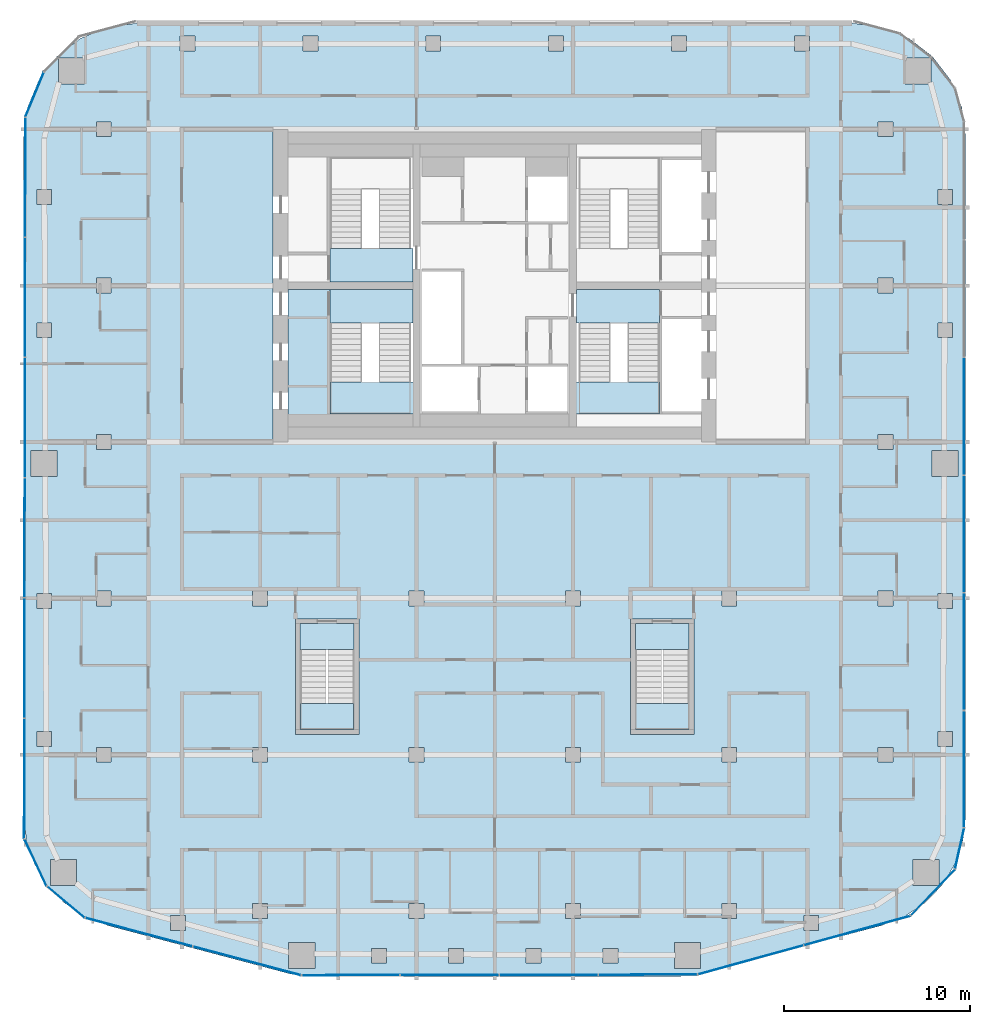
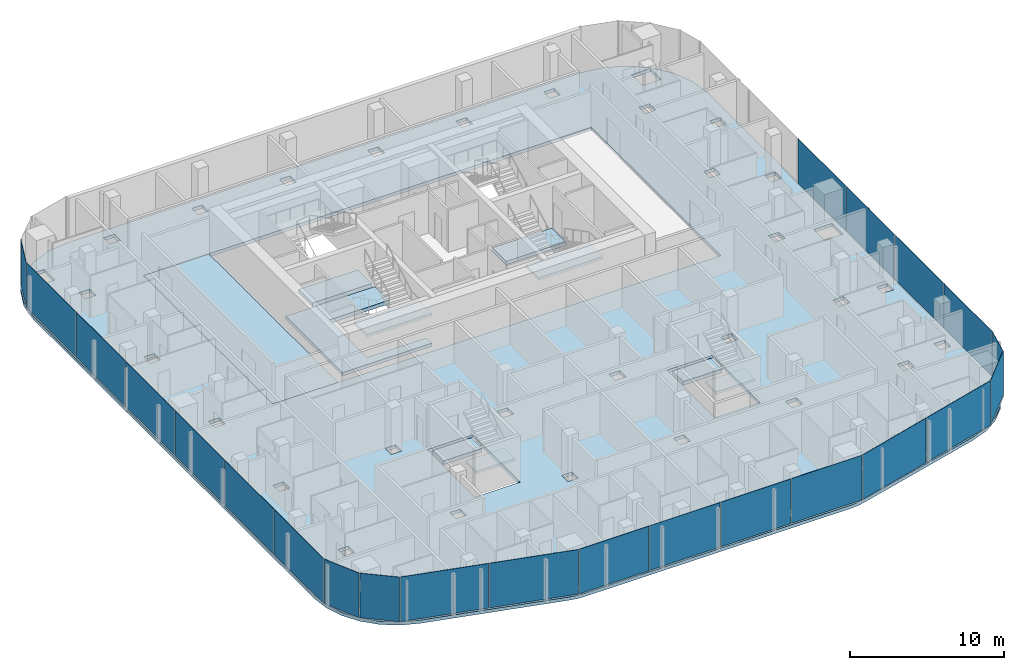
# One storey, part 12 of 22: 23 plates, 12 slabs, 14 elements without a shape of their own.
"""IFC4 building model written with IfcOpenShell, lengths in metres."""

from ifc_helpers import new_model, si_unit, direction, frame, origin, origin_2d, place, context, subcontext, project, spatial, polyline, rectangle, outline, extrude, material, layer, layer_set, type_object, element, aggregate, save


model = new_model("IFC4")

# Units and contexts
model_context = context("Model", 3, precision=1e-05, world=origin(), true_north=direction((0.0, 1.0)))
body_context = subcontext(model_context, "Body", "Model", "MODEL_VIEW")
ifc_project = project(units=[si_unit("LENGTHUNIT", "METRE"), si_unit("AREAUNIT", "SQUARE_METRE"), si_unit("VOLUMEUNIT", "CUBIC_METRE"), si_unit("PLANEANGLEUNIT", "RADIAN"), si_unit("MASSUNIT", "GRAM", prefix="KILO")], contexts=[model_context])

# Site, building, storey
site_placement = place(None, origin())
site = spatial("IfcSite", under=ifc_project, at=site_placement, CompositionType="ELEMENT")
building_placement = place(site_placement, origin())
building = spatial("IfcBuilding", under=site, at=building_placement, Name="Marenta Gate Hotel Tower", CompositionType="ELEMENT")
storey_placement = place(building_placement, frame((0.0, 0.0, 209.300048828125)))
storey = spatial("IfcBuildingStorey", under=building, at=storey_placement, Name="L48", CompositionType="ELEMENT", Elevation=209.300048828125)

# Slabs
ifc_material_1 = material(Name="Concrete C35", Category="concrete")
ifc_layer_1 = layer(ifc_material_1, 0.260009765625)
ifc_layer_set_1 = layer_set([ifc_layer_1], Name="Concrete C35")
slab_type_1 = type_object("IfcSlabType", Name="Concrete floor slab 260", PredefinedType="FLOOR", material=ifc_layer_set_1)
slab_1_placement = place(storey_placement, frame((0.0, 0.0, -0.260009765625)))
element("IfcSlab", 1, at=slab_1_placement, inside=storey, type_object=slab_type_1, Name="L48-SL-1", PredefinedType="FLOOR", context=body_context, shape_type="SweptSolid", body=[
    extrude(outline(polyline([(-23.11376953125, -24.76416015625), (-24.035400390625, -23.803955078125), (-24.72705078125, -22.6669921875), (-25.155517578125, -21.4072265625), (-25.300048828125, -20.08984375), (-25.300048828125, 16.406494140625), (-25.093017578125, 17.97900390625), (-24.483642578125, 19.450439453125), (-23.513916015625, 20.7138671875), (-22.25048828125, 21.68359375), (-20.779052734375, 22.29296875), (-19.20654296875, 22.5), (19.20654296875, 22.5), (20.779052734375, 22.29296875), (22.25048828125, 21.68359375), (23.513916015625, 20.7138671875), (24.483642578125, 19.450439453125), (25.093017578125, 17.97900390625), (25.300048828125, 16.406494140625), (25.300048828125, -20.08984375), (25.155517578125, -21.4072265625), (24.72705078125, -22.6669921875), (24.035400390625, -23.803955078125), (23.11376953125, -24.76416015625), (22.005859375, -25.501220703125), (20.76953125, -25.978759765625), (11.026611328125, -28.563720703125), (10.508544921875, -28.665771484375), (9.981689453125, -28.699951171875), (-9.981689453125, -28.699951171875), (-10.508544921875, -28.665771484375), (-11.026611328125, -28.563720703125), (-20.76953125, -25.978759765625), (-22.005859375, -25.501220703125), (-23.11376953125, -24.76416015625)]), holes=[polyline([(-16.800048828125, 0.0), (16.800048828125, 0.0), (16.800048828125, 16.800048828125), (-16.800048828125, 16.800048828125), (-16.800048828125, 0.0)]), polyline([(-16.606689453125, -25.439208984375), (-17.40673828125, -25.439208984375), (-17.40673828125, -26.239013671875), (-16.606689453125, -26.239013671875), (-16.606689453125, -25.439208984375)]), polyline([(-12.199951171875, -25.60009765625), (-12.199951171875, -24.800048828125), (-13.0, -24.800048828125), (-13.0, -25.60009765625), (-12.199951171875, -25.60009765625)]), polyline([(-22.462890625, -23.8330078125), (-22.462890625, -22.43310546875), (-23.863037109375, -22.43310546875), (-23.863037109375, -23.8330078125), (-22.462890625, -23.8330078125)]), polyline([(-12.199951171875, -16.39990234375), (-13.0, -16.39990234375), (-13.0, -17.199951171875), (-12.199951171875, -17.199951171875), (-12.199951171875, -16.39990234375)]), polyline([(-20.60009765625, -17.199951171875), (-20.60009765625, -16.39990234375), (-21.39990234375, -16.39990234375), (-21.39990234375, -17.199951171875), (-20.60009765625, -17.199951171875)]), polyline([(-23.800048828125, -16.351806640625), (-23.800048828125, -15.552001953125), (-24.60009765625, -15.552001953125), (-24.60009765625, -16.351806640625), (-23.800048828125, -16.351806640625)]), polyline([(-23.800048828125, -8.15087890625), (-24.60009765625, -8.15087890625), (-24.60009765625, -8.950927734375), (-23.800048828125, -8.950927734375), (-23.800048828125, -8.15087890625)]), polyline([(-12.199951171875, -8.800048828125), (-12.199951171875, -8.0), (-13.0, -8.0), (-13.0, -8.800048828125), (-12.199951171875, -8.800048828125)]), polyline([(-20.60009765625, -8.800048828125), (-20.60009765625, -8.0), (-21.39990234375, -8.0), (-21.39990234375, -8.800048828125), (-20.60009765625, -8.800048828125)]), polyline([(-23.5, -0.449951171875), (-24.89990234375, -0.449951171875), (-24.89990234375, -1.85009765625), (-23.5, -1.85009765625), (-23.5, -0.449951171875)]), polyline([(-20.60009765625, -0.39990234375), (-20.60009765625, 0.39990234375), (-21.39990234375, 0.39990234375), (-21.39990234375, -0.39990234375), (-20.60009765625, -0.39990234375)]), polyline([(-23.800048828125, 5.603271484375), (-23.800048828125, 6.4033203125), (-24.60009765625, 6.4033203125), (-24.60009765625, 5.603271484375), (-23.800048828125, 5.603271484375)]), polyline([(-20.60009765625, 8.800048828125), (-21.39990234375, 8.800048828125), (-21.39990234375, 8.0), (-20.60009765625, 8.0), (-20.60009765625, 8.800048828125)]), polyline([(-23.800048828125, 12.75634765625), (-23.800048828125, 13.556396484375), (-24.60009765625, 13.556396484375), (-24.60009765625, 12.75634765625), (-23.800048828125, 12.75634765625)]), polyline([(-20.60009765625, 16.39990234375), (-20.60009765625, 17.199951171875), (-21.39990234375, 17.199951171875), (-21.39990234375, 16.39990234375), (-20.60009765625, 16.39990234375)]), polyline([(-22.035400390625, 20.635498046875), (-23.435546875, 20.635498046875), (-23.435546875, 19.235595703125), (-22.035400390625, 19.235595703125), (-22.035400390625, 20.635498046875)]), polyline([(-16.10693359375, 21.0), (-16.10693359375, 21.800048828125), (-16.906982421875, 21.800048828125), (-16.906982421875, 21.0), (-16.10693359375, 21.0)]), polyline([(-5.820068359375, -28.0), (-5.820068359375, -27.199951171875), (-6.6201171875, -27.199951171875), (-6.6201171875, -28.0), (-5.820068359375, -28.0)]), polyline([(6.6201171875, -27.199951171875), (5.820068359375, -27.199951171875), (5.820068359375, -28.0), (6.6201171875, -28.0), (6.6201171875, -27.199951171875)]), polyline([(2.473388671875, -28.0), (2.473388671875, -27.199951171875), (1.67333984375, -27.199951171875), (1.67333984375, -28.0), (2.473388671875, -28.0)]), polyline([(-1.67333984375, -28.0), (-1.67333984375, -27.199951171875), (-2.473388671875, -27.199951171875), (-2.473388671875, -28.0), (-1.67333984375, -28.0)]), polyline([(-9.666259765625, -28.27490234375), (-9.666259765625, -26.874755859375), (-11.06640625, -26.874755859375), (-11.06640625, -28.27490234375), (-9.666259765625, -28.27490234375)]), polyline([(11.06640625, -28.27490234375), (11.06640625, -26.874755859375), (9.666259765625, -26.874755859375), (9.666259765625, -28.27490234375), (11.06640625, -28.27490234375)]), polyline([(13.0, -25.60009765625), (13.0, -24.800048828125), (12.199951171875, -24.800048828125), (12.199951171875, -25.60009765625), (13.0, -25.60009765625)]), polyline([(4.60009765625, -25.60009765625), (4.60009765625, -24.800048828125), (3.800048828125, -24.800048828125), (3.800048828125, -25.60009765625), (4.60009765625, -25.60009765625)]), polyline([(-3.800048828125, -24.800048828125), (-4.60009765625, -24.800048828125), (-4.60009765625, -25.60009765625), (-3.800048828125, -25.60009765625), (-3.800048828125, -24.800048828125)]), polyline([(4.60009765625, -17.199951171875), (4.60009765625, -16.39990234375), (3.800048828125, -16.39990234375), (3.800048828125, -17.199951171875), (4.60009765625, -17.199951171875)]), polyline([(-3.800048828125, -17.199951171875), (-3.800048828125, -16.39990234375), (-4.60009765625, -16.39990234375), (-4.60009765625, -17.199951171875), (-3.800048828125, -17.199951171875)]), polyline([(4.60009765625, -8.0), (3.800048828125, -8.0), (3.800048828125, -8.800048828125), (4.60009765625, -8.800048828125), (4.60009765625, -8.0)]), polyline([(-3.800048828125, -8.800048828125), (-3.800048828125, -8.0), (-4.60009765625, -8.0), (-4.60009765625, -8.800048828125), (-3.800048828125, -8.800048828125)]), polyline([(-2.9013671875, 21.0), (-2.9013671875, 21.800048828125), (-3.701416015625, 21.800048828125), (-3.701416015625, 21.0), (-2.9013671875, 21.0)]), polyline([(3.701416015625, 21.800048828125), (2.9013671875, 21.800048828125), (2.9013671875, 21.0), (3.701416015625, 21.0), (3.701416015625, 21.800048828125)]), polyline([(10.30419921875, 21.0), (10.30419921875, 21.800048828125), (9.504150390625, 21.800048828125), (9.504150390625, 21.0), (10.30419921875, 21.0)]), polyline([(-9.504150390625, 21.0), (-9.504150390625, 21.800048828125), (-10.30419921875, 21.800048828125), (-10.30419921875, 21.0), (-9.504150390625, 21.0)]), polyline([(17.40673828125, -25.439208984375), (16.606689453125, -25.439208984375), (16.606689453125, -26.239013671875), (17.40673828125, -26.239013671875), (17.40673828125, -25.439208984375)]), polyline([(23.863037109375, -23.8330078125), (23.863037109375, -22.43310546875), (22.462890625, -22.43310546875), (22.462890625, -23.8330078125), (23.863037109375, -23.8330078125)]), polyline([(13.0, -17.199951171875), (13.0, -16.39990234375), (12.199951171875, -16.39990234375), (12.199951171875, -17.199951171875), (13.0, -17.199951171875)]), polyline([(21.39990234375, -16.39990234375), (20.60009765625, -16.39990234375), (20.60009765625, -17.199951171875), (21.39990234375, -17.199951171875), (21.39990234375, -16.39990234375)]), polyline([(24.60009765625, -16.351806640625), (24.60009765625, -15.552001953125), (23.800048828125, -15.552001953125), (23.800048828125, -16.351806640625), (24.60009765625, -16.351806640625)]), polyline([(24.60009765625, -8.950927734375), (24.60009765625, -8.15087890625), (23.800048828125, -8.15087890625), (23.800048828125, -8.950927734375), (24.60009765625, -8.950927734375)]), polyline([(13.0, -8.0), (12.199951171875, -8.0), (12.199951171875, -8.800048828125), (13.0, -8.800048828125), (13.0, -8.0)]), polyline([(21.39990234375, -8.800048828125), (21.39990234375, -8.0), (20.60009765625, -8.0), (20.60009765625, -8.800048828125), (21.39990234375, -8.800048828125)]), polyline([(24.89990234375, -1.85009765625), (24.89990234375, -0.449951171875), (23.5, -0.449951171875), (23.5, -1.85009765625), (24.89990234375, -1.85009765625)]), polyline([(21.39990234375, 0.39990234375), (20.60009765625, 0.39990234375), (20.60009765625, -0.39990234375), (21.39990234375, -0.39990234375), (21.39990234375, 0.39990234375)]), polyline([(24.60009765625, 5.603271484375), (24.60009765625, 6.4033203125), (23.800048828125, 6.4033203125), (23.800048828125, 5.603271484375), (24.60009765625, 5.603271484375)]), polyline([(21.39990234375, 8.0), (21.39990234375, 8.800048828125), (20.60009765625, 8.800048828125), (20.60009765625, 8.0), (21.39990234375, 8.0)]), polyline([(24.60009765625, 12.75634765625), (24.60009765625, 13.556396484375), (23.800048828125, 13.556396484375), (23.800048828125, 12.75634765625), (24.60009765625, 12.75634765625)]), polyline([(21.39990234375, 16.39990234375), (21.39990234375, 17.199951171875), (20.60009765625, 17.199951171875), (20.60009765625, 16.39990234375), (21.39990234375, 16.39990234375)]), polyline([(23.435546875, 19.235595703125), (23.435546875, 20.635498046875), (22.035400390625, 20.635498046875), (22.035400390625, 19.235595703125), (23.435546875, 19.235595703125)]), polyline([(16.906982421875, 21.0), (16.906982421875, 21.800048828125), (16.10693359375, 21.800048828125), (16.10693359375, 21.0), (16.906982421875, 21.0)]), polyline([(-7.300048828125, -15.699951171875), (-7.300048828125, -9.5), (-10.699951171875, -9.5), (-10.699951171875, -15.699951171875), (-7.300048828125, -15.699951171875)]), polyline([(10.699951171875, -15.699951171875), (10.699951171875, -9.5), (7.300048828125, -9.5), (7.300048828125, -15.699951171875), (10.699951171875, -15.699951171875)])]), origin(), (0.0, 0.0, 1.0), 0.260009765625),
])
ifc_material_2 = material(Name="Concrete C40", Category="concrete")
ifc_layer_2 = layer(ifc_material_2, 0.260009765625)
ifc_layer_set_2 = layer_set([ifc_layer_2], Name="Concrete C40")
slab_type_2 = type_object("IfcSlabType", Name="Core floor slab 260", PredefinedType="FLOOR", material=ifc_layer_set_2)
slab_2_placement = place(storey_placement, frame((0.0, 0.0, -0.260009765625)))
element("IfcSlab", 2, at=slab_2_placement, inside=storey, type_object=slab_type_2, Name="L48-CF-5", PredefinedType="FLOOR", context=body_context, shape_type="SweptSolid", body=[
    extrude(outline(polyline([(-8.85009765625, 8.199951171875), (-8.85009765625, 8.10009765625), (-8.85009765625, 6.39990234375), (-8.85009765625, 1.5), (-4.39990234375, 1.5), (-4.39990234375, 0.800048828125), (-11.10009765625, 0.800048828125), (-11.10009765625, 8.199951171875), (-8.85009765625, 8.199951171875)])), origin(), (0.0, 0.0, 1.0), 0.260009765625),
])
slab_3_placement = place(storey_placement, frame((0.0, 0.0, -0.260009765625)))
element("IfcSlab", 3, at=slab_3_placement, inside=storey, type_object=slab_type_2, Name="L48-CF-7", PredefinedType="FLOOR", context=body_context, shape_type="SweptSolid", body=[
    extrude(outline(polyline([(-11.89990234375, 16.800048828125), (-11.89990234375, 0.0), (-16.800048828125, 0.0), (-16.800048828125, 16.800048828125), (-11.89990234375, 16.800048828125)])), origin(), (0.0, 0.0, 1.0), 0.260009765625),
])

# Stair, slab
ifc_material_3 = material(Name="Concrete C40", Category="concrete")
stair_type_1 = type_object("IfcStairType", Name="Core exit stair 1700 wide", PredefinedType="HALF_TURN_STAIR", material=ifc_material_3)
stair_1_placement = place(storey_placement, origin())
stair_1 = element("IfcStair", 4, at=stair_1_placement, inside=storey, type_object=stair_type_1, Name="Exit stair 1", PredefinedType="HALF_TURN_STAIR")
ifc_material_4 = material(Name="Concrete C40", Category="concrete")
ifc_layer_3 = layer(ifc_material_4, 0.199951171875)
ifc_layer_set_3 = layer_set([ifc_layer_3], Name="Concrete C40")
slab_type_3 = type_object("IfcSlabType", Name="Core stair landing 200", PredefinedType="LANDING", material=ifc_layer_set_3)
slab_4_placement = place(storey_placement, frame((0.0, 0.0, 1.599853515625)))
slab_4 = element("IfcSlab", 5, at=slab_4_placement, type_object=slab_type_3, Name="SL-200 ST1 landing 1", PredefinedType="LANDING", context=body_context, shape_type="SweptSolid", body=[
    extrude(outline(polyline([(-8.85009765625, 1.5), (-4.0, 1.5), (-4.0, 3.2099609375), (-8.85009765625, 3.2099609375), (-8.85009765625, 1.5)])), origin(), (0.0, 0.0, 1.0), 0.2001953125),
])
aggregate(stair_1, [slab_4])

stair_2_placement = place(storey_placement, origin())
stair_2 = element("IfcStair", 6, at=stair_2_placement, inside=storey, type_object=stair_type_1, Name="Exit stair 3", PredefinedType="HALF_TURN_STAIR")
slab_5_placement = place(storey_placement, frame((0.0, 0.0, 1.599853515625)))
slab_5 = element("IfcSlab", 7, at=slab_5_placement, type_object=slab_type_3, Name="SL-200 ST3 landing 1", PredefinedType="LANDING", context=body_context, shape_type="SweptSolid", body=[
    extrude(outline(polyline([(4.0, 1.5), (8.85009765625, 1.5), (8.85009765625, 3.2099609375), (4.0, 3.2099609375), (4.0, 1.5)])), origin(), (0.0, 0.0, 1.0), 0.2001953125),
])
aggregate(stair_2, [slab_5])

# Curtain wall, plate
ifc_material_5 = material(Name="Tinted insulated glass in bronze anodised frame", Category="glass")
ifc_layer_4 = layer(ifc_material_5, 0.1201171875)
ifc_layer_set_4 = layer_set([ifc_layer_4], Name="Tinted insulated glass in bronze anodised frame")
curtain_wall_type = type_object("IfcCurtainWallType", Name="Tower unitised curtain wall CW1", PredefinedType="NOTDEFINED", material=ifc_layer_set_4)
curtain_wall_1_placement = place(storey_placement, origin())
curtain_wall_1 = element("IfcCurtainWall", 8, at=curtain_wall_1_placement, inside=storey, type_object=curtain_wall_type, Name="CW1 run G02", PredefinedType="NOTDEFINED")
ifc_material_6 = material(Name="Tinted insulated glass", Category="glass")
ifc_layer_5 = layer(ifc_material_6, 0.028076171875)
ifc_layer_set_5 = layer_set([ifc_layer_5], Name="Tinted insulated glass")
plate_type = type_object("IfcPlateType", Name="Glass panel CW1 28 mm tinted insulated unit", PredefinedType="CURTAIN_PANEL", material=ifc_layer_set_5)
plate_1_placement = place(storey_placement, frame((-24.719482421875, 18.656005859375, 0.059814453125), z_axis=(0.0, 0.0, 1.0), x_axis=(-0.382666772044, -0.923886433266, 0.0)))
plate_1 = element("IfcPlate", 9, at=plate_1_placement, type_object=plate_type, Name="CW1 panel 1.1", PredefinedType="CURTAIN_PANEL", context=body_context, shape_type="SweptSolid", body=[
    extrude(rectangle(XDim=2.57568359375, YDim=0.028076171875, at=origin_2d()), origin(), (0.0, 0.0, 1.0), 3.5400390625),
])
aggregate(curtain_wall_1, [plate_1])

# Curtain wall, plates
curtain_wall_2_placement = place(storey_placement, origin())
curtain_wall_2 = element("IfcCurtainWall", 10, at=curtain_wall_2_placement, inside=storey, type_object=curtain_wall_type, Name="CW1 run G03", PredefinedType="NOTDEFINED")
plate_2_placement = place(storey_placement, frame((-25.21728515625, 14.22119140625, 0.059814453125), z_axis=(0.0, 0.0, 1.0), x_axis=(-0.001566045546, -0.99999877375, 0.0)))
plate_2 = element("IfcPlate", 11, at=plate_2_placement, type_object=plate_type, Name="CW1 panel 1.1", PredefinedType="CURTAIN_PANEL", context=body_context, shape_type="SweptSolid", body=[
    extrude(rectangle(XDim=6.3701171875, YDim=0.028076171875, at=origin_2d()), origin(), (0.0, 0.0, 1.0), 3.5400390625),
])
plate_3_placement = place(storey_placement, frame((-25.2275390625, 7.776123046875, 0.059814453125), z_axis=(0.0, 0.0, 1.0), x_axis=(-0.001566045546, -0.99999877375, 0.0)))
plate_3 = element("IfcPlate", 12, at=plate_3_placement, type_object=plate_type, Name="CW1 panel 2.1", PredefinedType="CURTAIN_PANEL", context=body_context, shape_type="SweptSolid", body=[
    extrude(rectangle(XDim=6.39990234375, YDim=0.028076171875, at=origin_2d()), origin(), (0.0, 0.0, 1.0), 3.5400390625),
])
plate_4_placement = place(storey_placement, frame((-25.237548828125, 1.316162109375, 0.059814453125), z_axis=(0.0, 0.0, 1.0), x_axis=(-0.001566045546, -0.99999877375, 0.0)))
plate_4 = element("IfcPlate", 13, at=plate_4_placement, type_object=plate_type, Name="CW1 panel 3.1", PredefinedType="CURTAIN_PANEL", context=body_context, shape_type="SweptSolid", body=[
    extrude(rectangle(XDim=6.39990234375, YDim=0.028076171875, at=origin_2d()), origin(), (0.0, 0.0, 1.0), 3.5400390625),
])
plate_5_placement = place(storey_placement, frame((-25.247802734375, -5.143798828125, 0.059814453125), z_axis=(0.0, 0.0, 1.0), x_axis=(-0.001566045546, -0.99999877375, 0.0)))
plate_5 = element("IfcPlate", 14, at=plate_5_placement, type_object=plate_type, Name="CW1 panel 4.1", PredefinedType="CURTAIN_PANEL", context=body_context, shape_type="SweptSolid", body=[
    extrude(rectangle(XDim=6.39990234375, YDim=0.028076171875, at=origin_2d()), origin(), (0.0, 0.0, 1.0), 3.5400390625),
])
plate_6_placement = place(storey_placement, frame((-25.2578125, -11.603759765625, 0.059814453125), z_axis=(0.0, 0.0, 1.0), x_axis=(-0.001566045546, -0.99999877375, 0.0)))
plate_6 = element("IfcPlate", 15, at=plate_6_placement, type_object=plate_type, Name="CW1 panel 5.1", PredefinedType="CURTAIN_PANEL", context=body_context, shape_type="SweptSolid", body=[
    extrude(rectangle(XDim=6.39990234375, YDim=0.028076171875, at=origin_2d()), origin(), (0.0, 0.0, 1.0), 3.5400390625),
])
plate_7_placement = place(storey_placement, frame((-25.26806640625, -18.078857421875, 0.059814453125), z_axis=(0.0, 0.0, 1.0), x_axis=(-0.001566045546, -0.99999877375, 0.0)))
plate_7 = element("IfcPlate", 16, at=plate_7_placement, type_object=plate_type, Name="CW1 panel 6.1", PredefinedType="CURTAIN_PANEL", context=body_context, shape_type="SweptSolid", body=[
    extrude(rectangle(XDim=6.429931640625, YDim=0.028076171875, at=origin_2d()), origin(), (0.0, 0.0, 1.0), 3.5400390625),
])
aggregate(curtain_wall_2, [plate_2, plate_3, plate_4, plate_5, plate_6, plate_7])

# Curtain wall, plate
curtain_wall_3_placement = place(storey_placement, origin())
curtain_wall_3 = element("IfcCurtainWall", 17, at=curtain_wall_3_placement, inside=storey, type_object=curtain_wall_type, Name="CW1 run G04", PredefinedType="NOTDEFINED")
plate_8_placement = place(storey_placement, frame((-24.665283203125, -22.594482421875, 0.059814453125), z_axis=(0.0, 0.0, 1.0), x_axis=(0.42333719762, -0.905972194447, 0.0)))
plate_8 = element("IfcPlate", 18, at=plate_8_placement, type_object=plate_type, Name="CW1 panel 1.1", PredefinedType="CURTAIN_PANEL", context=body_context, shape_type="SweptSolid", body=[
    extrude(rectangle(XDim=2.751220703125, YDim=0.028076171875, at=origin_2d()), origin(), (0.0, 0.0, 1.0), 3.5400390625),
])
aggregate(curtain_wall_3, [plate_8])

curtain_wall_4_placement = place(storey_placement, origin())
curtain_wall_4 = element("IfcCurtainWall", 19, at=curtain_wall_4_placement, inside=storey, type_object=curtain_wall_type, Name="CW1 run G05", PredefinedType="NOTDEFINED")
plate_9_placement = place(storey_placement, frame((-23.0361328125, -24.716064453125, 0.059814453125), z_axis=(0.0, 0.0, 1.0), x_axis=(0.767102345594, -0.641524739495, 0.0)))
plate_9 = element("IfcPlate", 20, at=plate_9_placement, type_object=plate_type, Name="CW1 panel 1.1", PredefinedType="CURTAIN_PANEL", context=body_context, shape_type="SweptSolid", body=[
    extrude(rectangle(XDim=2.609375, YDim=0.028076171875, at=origin_2d()), origin(), (0.0, 0.0, 1.0), 3.5400390625),
])
aggregate(curtain_wall_4, [plate_9])

# Curtain wall, plates
curtain_wall_5_placement = place(storey_placement, origin())
curtain_wall_5 = element("IfcCurtainWall", 21, at=curtain_wall_5_placement, inside=storey, type_object=curtain_wall_type, Name="CW1 run G06", PredefinedType="NOTDEFINED")
plate_10_placement = place(storey_placement, frame((-19.113525390625, -26.33056640625, 0.059814453125), z_axis=(0.0, 0.0, 1.0), x_axis=(0.966374375295, -0.257139197271, 0.0)))
plate_10 = element("IfcPlate", 22, at=plate_10_placement, type_object=plate_type, Name="CW1 panel 1.1", PredefinedType="CURTAIN_PANEL", context=body_context, shape_type="SweptSolid", body=[
    extrude(rectangle(XDim=5.927001953125, YDim=0.028076171875, at=origin_2d()), origin(), (0.0, 0.0, 1.0), 3.5400390625),
])
plate_11_placement = place(storey_placement, frame((-13.298828125, -27.877685546875, 0.059814453125), z_axis=(0.0, 0.0, 1.0), x_axis=(0.966374375295, -0.257139197271, 0.0)))
plate_11 = element("IfcPlate", 23, at=plate_11_placement, type_object=plate_type, Name="CW1 panel 2.1", PredefinedType="CURTAIN_PANEL", context=body_context, shape_type="SweptSolid", body=[
    extrude(rectangle(XDim=5.987060546875, YDim=0.028076171875, at=origin_2d()), origin(), (0.0, 0.0, 1.0), 3.5400390625),
])
aggregate(curtain_wall_5, [plate_10, plate_11])

curtain_wall_6_placement = place(storey_placement, origin())
curtain_wall_6 = element("IfcCurtainWall", 24, at=curtain_wall_6_placement, inside=storey, type_object=curtain_wall_type, Name="CW1 run G07", PredefinedType="NOTDEFINED")
plate_12_placement = place(storey_placement, frame((-7.73095703125, -28.64306640625, 0.059814453125), z_axis=(0.0, 0.0, 1.0), x_axis=(0.999998647385, 0.001644757804, 0.0)))
plate_12 = element("IfcPlate", 25, at=plate_12_placement, type_object=plate_type, Name="CW1 panel 1.1", PredefinedType="CURTAIN_PANEL", context=body_context, shape_type="SweptSolid", body=[
    extrude(rectangle(XDim=5.22998046875, YDim=0.028076171875, at=origin_2d()), origin(), (0.0, 0.0, 1.0), 3.5400390625),
])
plate_13_placement = place(storey_placement, frame((-2.426025390625, -28.63427734375, 0.059814453125), z_axis=(0.0, 0.0, 1.0), x_axis=(0.999998647385, 0.001644757804, 0.0)))
plate_13 = element("IfcPlate", 26, at=plate_13_placement, type_object=plate_type, Name="CW1 panel 2.1", PredefinedType="CURTAIN_PANEL", context=body_context, shape_type="SweptSolid", body=[
    extrude(rectangle(XDim=5.260009765625, YDim=0.028076171875, at=origin_2d()), origin(), (0.0, 0.0, 1.0), 3.5400390625),
])
plate_14_placement = place(storey_placement, frame((2.893798828125, -28.625732421875, 0.059814453125), z_axis=(0.0, 0.0, 1.0), x_axis=(0.999998647385, 0.001644757804, 0.0)))
plate_14 = element("IfcPlate", 27, at=plate_14_placement, type_object=plate_type, Name="CW1 panel 3.1", PredefinedType="CURTAIN_PANEL", context=body_context, shape_type="SweptSolid", body=[
    extrude(rectangle(XDim=5.260009765625, YDim=0.028076171875, at=origin_2d()), origin(), (0.0, 0.0, 1.0), 3.5400390625),
])
plate_15_placement = place(storey_placement, frame((8.228759765625, -28.616943359375, 0.059814453125), z_axis=(0.0, 0.0, 1.0), x_axis=(0.999998647385, 0.001644757804, 0.0)))
plate_15 = element("IfcPlate", 28, at=plate_15_placement, type_object=plate_type, Name="CW1 panel 4.1", PredefinedType="CURTAIN_PANEL", context=body_context, shape_type="SweptSolid", body=[
    extrude(rectangle(XDim=5.289794921875, YDim=0.028076171875, at=origin_2d()), origin(), (0.0, 0.0, 1.0), 3.5400390625),
])
aggregate(curtain_wall_6, [plate_12, plate_13, plate_14, plate_15])

curtain_wall_7_placement = place(storey_placement, origin())
curtain_wall_7 = element("IfcCurtainWall", 29, at=curtain_wall_7_placement, inside=storey, type_object=curtain_wall_type, Name="CW1 run G08", PredefinedType="NOTDEFINED")
plate_16_placement = place(storey_placement, frame((13.7509765625, -27.82080078125, 0.059814453125), z_axis=(0.0, 0.0, 1.0), x_axis=(0.964167765212, 0.265293272675, 0.0)))
plate_16 = element("IfcPlate", 30, at=plate_16_placement, type_object=plate_type, Name="CW1 panel 1.1", PredefinedType="CURTAIN_PANEL", context=body_context, shape_type="SweptSolid", body=[
    extrude(rectangle(XDim=5.848388671875, YDim=0.028076171875, at=origin_2d()), origin(), (0.0, 0.0, 1.0), 3.5400390625),
])
plate_17_placement = place(storey_placement, frame((19.4765625, -26.245361328125, 0.059814453125), z_axis=(0.0, 0.0, 1.0), x_axis=(0.964167765212, 0.265293272675, 0.0)))
plate_17 = element("IfcPlate", 31, at=plate_17_placement, type_object=plate_type, Name="CW1 panel 2.1", PredefinedType="CURTAIN_PANEL", context=body_context, shape_type="SweptSolid", body=[
    extrude(rectangle(XDim=5.908203125, YDim=0.028076171875, at=origin_2d()), origin(), (0.0, 0.0, 1.0), 3.5400390625),
])
aggregate(curtain_wall_7, [plate_16, plate_17])

# Curtain wall, plate
curtain_wall_8_placement = place(storey_placement, origin())
curtain_wall_8 = element("IfcCurtainWall", 32, at=curtain_wall_8_placement, inside=storey, type_object=curtain_wall_type, Name="CW1 run G09", PredefinedType="NOTDEFINED")
plate_18_placement = place(storey_placement, frame((23.543212890625, -24.1923828125, 0.059814453125), z_axis=(0.0, 0.0, 1.0), x_axis=(0.692548076564, 0.72137172224, 0.0)))
plate_18 = element("IfcPlate", 33, at=plate_18_placement, type_object=plate_type, Name="CW1 panel 1.1", PredefinedType="CURTAIN_PANEL", context=body_context, shape_type="SweptSolid", body=[
    extrude(rectangle(XDim=3.39892578125, YDim=0.028076171875, at=origin_2d()), origin(), (0.0, 0.0, 1.0), 3.5400390625),
])
aggregate(curtain_wall_8, [plate_18])

curtain_wall_9_placement = place(storey_placement, origin())
curtain_wall_9 = element("IfcCurtainWall", 34, at=curtain_wall_9_placement, inside=storey, type_object=curtain_wall_type, Name="CW1 run G10", PredefinedType="NOTDEFINED")
plate_19_placement = place(storey_placement, frame((24.9736328125, -21.825927734375, 0.059814453125), z_axis=(0.0, 0.0, 1.0), x_axis=(0.216842096529, 0.97620669183, 0.0)))
plate_19 = element("IfcPlate", 35, at=plate_19_placement, type_object=plate_type, Name="CW1 panel 1.1", PredefinedType="CURTAIN_PANEL", context=body_context, shape_type="SweptSolid", body=[
    extrude(rectangle(XDim=2.216796875, YDim=0.028076171875, at=origin_2d()), origin(), (0.0, 0.0, 1.0), 3.5400390625),
])
aggregate(curtain_wall_9, [plate_19])

# Curtain wall, plates
curtain_wall_10_placement = place(storey_placement, origin())
curtain_wall_10 = element("IfcCurtainWall", 36, at=curtain_wall_10_placement, inside=storey, type_object=curtain_wall_type, Name="CW1 run G11", PredefinedType="NOTDEFINED")
plate_20_placement = place(storey_placement, frame((25.214111328125, -17.567626953125, 0.059814453125), z_axis=(0.0, 0.0, 1.0), x_axis=(0.0, 1.0, 0.0)))
plate_20 = element("IfcPlate", 37, at=plate_20_placement, type_object=plate_type, Name="CW1 panel 1.1", PredefinedType="CURTAIN_PANEL", context=body_context, shape_type="SweptSolid", body=[
    extrude(rectangle(XDim=6.232666015625, YDim=0.028076171875, at=origin_2d()), origin(), (0.0, 0.0, 1.0), 3.5400390625),
])
plate_21_placement = place(storey_placement, frame((25.214111328125, -11.260009765625, 0.059814453125), z_axis=(0.0, 0.0, 1.0), x_axis=(0.0, 1.0, 0.0)))
plate_21 = element("IfcPlate", 38, at=plate_21_placement, type_object=plate_type, Name="CW1 panel 2.1", PredefinedType="CURTAIN_PANEL", context=body_context, shape_type="SweptSolid", body=[
    extrude(rectangle(XDim=6.2626953125, YDim=0.028076171875, at=origin_2d()), origin(), (0.0, 0.0, 1.0), 3.5400390625),
])
plate_22_placement = place(storey_placement, frame((25.214111328125, -4.937255859375, 0.059814453125), z_axis=(0.0, 0.0, 1.0), x_axis=(0.0, 1.0, 0.0)))
plate_22 = element("IfcPlate", 39, at=plate_22_placement, type_object=plate_type, Name="CW1 panel 3.1", PredefinedType="CURTAIN_PANEL", context=body_context, shape_type="SweptSolid", body=[
    extrude(rectangle(XDim=6.2626953125, YDim=0.028076171875, at=origin_2d()), origin(), (0.0, 0.0, 1.0), 3.5400390625),
])
plate_23_placement = place(storey_placement, frame((25.214111328125, 1.38525390625, 0.059814453125), z_axis=(0.0, 0.0, 1.0), x_axis=(0.0, 1.0, 0.0)))
plate_23 = element("IfcPlate", 40, at=plate_23_placement, type_object=plate_type, Name="CW1 panel 4.1", PredefinedType="CURTAIN_PANEL", context=body_context, shape_type="SweptSolid", body=[
    extrude(rectangle(XDim=6.2626953125, YDim=0.028076171875, at=origin_2d()), origin(), (0.0, 0.0, 1.0), 3.5400390625),
])
aggregate(curtain_wall_10, [plate_20, plate_21, plate_22, plate_23])

# Stair, slab
ifc_material_7 = material(Name="Concrete C40", Category="concrete")
stair_type_2 = type_object("IfcStairType", Name="Remote exit stair 1400 wide", PredefinedType="HALF_TURN_STAIR", material=ifc_material_7)
stair_3_placement = place(storey_placement, origin())
stair_3 = element("IfcStair", 41, at=stair_3_placement, inside=storey, type_object=stair_type_2, Name="Exit stair RS-Z3-1", PredefinedType="HALF_TURN_STAIR")
ifc_material_8 = material(Name="Concrete C40", Category="concrete")
ifc_layer_6 = layer(ifc_material_8, 0.199951171875)
ifc_layer_set_6 = layer_set([ifc_layer_6], Name="Concrete C40")
slab_type_4 = type_object("IfcSlabType", Name="Remote stair landing 200", PredefinedType="LANDING", material=ifc_layer_set_6)
slab_6_placement = place(storey_placement, frame((0.0, 0.0, 1.599853515625)))
slab_6 = element("IfcSlab", 42, at=slab_6_placement, type_object=slab_type_4, Name="RL-200 RS-Z3-1 landing 1", PredefinedType="LANDING", context=body_context, shape_type="SweptSolid", body=[
    extrude(outline(polyline([(-10.449951171875, -15.449951171875), (-7.550048828125, -15.449951171875), (-7.550048828125, -14.050048828125), (-10.449951171875, -14.050048828125), (-10.449951171875, -15.449951171875)])), origin(), (0.0, 0.0, 1.0), 0.2001953125),
])
aggregate(stair_3, [slab_6])

stair_4_placement = place(storey_placement, origin())
stair_4 = element("IfcStair", 43, at=stair_4_placement, inside=storey, type_object=stair_type_2, Name="Exit stair RS-Z3-2", PredefinedType="HALF_TURN_STAIR")
slab_7_placement = place(storey_placement, frame((0.0, 0.0, 1.599853515625)))
slab_7 = element("IfcSlab", 44, at=slab_7_placement, type_object=slab_type_4, Name="RL-200 RS-Z3-2 landing 1", PredefinedType="LANDING", context=body_context, shape_type="SweptSolid", body=[
    extrude(outline(polyline([(7.550048828125, -15.449951171875), (10.449951171875, -15.449951171875), (10.449951171875, -14.050048828125), (7.550048828125, -14.050048828125), (7.550048828125, -15.449951171875)])), origin(), (0.0, 0.0, 1.0), 0.2001953125),
])
aggregate(stair_4, [slab_7])

# Slabs
ifc_material_9 = material(Name="Concrete C40", Category="concrete")
ifc_layer_7 = layer(ifc_material_9, 0.300048828125)
ifc_layer_set_7 = layer_set([ifc_layer_7], Name="Concrete C40")
slab_type_5 = type_object("IfcSlabType", Name="Stair floor landing slab 300", PredefinedType="FLOOR", material=ifc_layer_set_7)
slab_8_placement = place(storey_placement, frame((0.0, 0.0, -0.300048828125)))
element("IfcSlab", 45, at=slab_8_placement, inside=storey, type_object=slab_type_5, Name="L48-CL-ST1-1", PredefinedType="FLOOR", context=body_context, shape_type="SweptSolid", body=[
    extrude(outline(polyline([(-4.39990234375, 6.39990234375), (-8.85009765625, 6.39990234375), (-8.85009765625, 8.10009765625), (-8.85009765625, 8.199951171875), (-4.39990234375, 8.199951171875), (-4.39990234375, 6.39990234375)])), origin(), (0.0, 0.0, 1.0), 0.300048828125),
])
slab_9_placement = place(storey_placement, frame((0.0, 0.0, -0.300048828125)))
element("IfcSlab", 46, at=slab_9_placement, inside=storey, type_object=slab_type_5, Name="L48-CL-ST2-1", PredefinedType="FLOOR", context=body_context, shape_type="SweptSolid", body=[
    extrude(outline(polyline([(-4.39990234375, 8.60009765625), (-8.85009765625, 8.60009765625), (-8.85009765625, 8.699951171875), (-8.85009765625, 10.39990234375), (-4.39990234375, 10.39990234375), (-4.39990234375, 8.60009765625)])), origin(), (0.0, 0.0, 1.0), 0.300048828125),
])
slab_10_placement = place(storey_placement, frame((0.0, 0.0, -0.300048828125)))
element("IfcSlab", 47, at=slab_10_placement, inside=storey, type_object=slab_type_5, Name="L48-CL-ST3-1", PredefinedType="FLOOR", context=body_context, shape_type="SweptSolid", body=[
    extrude(outline(polyline([(4.39990234375, 6.39990234375), (4.39990234375, 8.199951171875), (8.85009765625, 8.199951171875), (8.85009765625, 8.10009765625), (8.85009765625, 6.39990234375), (4.39990234375, 6.39990234375)])), origin(), (0.0, 0.0, 1.0), 0.300048828125),
])
slab_11_placement = place(storey_placement, frame((0.0, 0.0, -0.300048828125)))
element("IfcSlab", 48, at=slab_11_placement, inside=storey, type_object=slab_type_5, Name="L48-RS-Z3-1-CL", PredefinedType="FLOOR", context=body_context, shape_type="SweptSolid", body=[
    extrude(outline(polyline([(-7.550048828125, -11.14990234375), (-7.550048828125, -9.75), (-10.449951171875, -9.75), (-10.449951171875, -11.14990234375), (-7.550048828125, -11.14990234375)])), origin(), (0.0, 0.0, 1.0), 0.300048828125),
])
slab_12_placement = place(storey_placement, frame((0.0, 0.0, -0.300048828125)))
element("IfcSlab", 49, at=slab_12_placement, inside=storey, type_object=slab_type_5, Name="L48-RS-Z3-2-CL", PredefinedType="FLOOR", context=body_context, shape_type="SweptSolid", body=[
    extrude(outline(polyline([(10.449951171875, -11.14990234375), (10.449951171875, -9.75), (7.550048828125, -9.75), (7.550048828125, -11.14990234375), (10.449951171875, -11.14990234375)])), origin(), (0.0, 0.0, 1.0), 0.300048828125),
])

save(model, "model.ifc")
